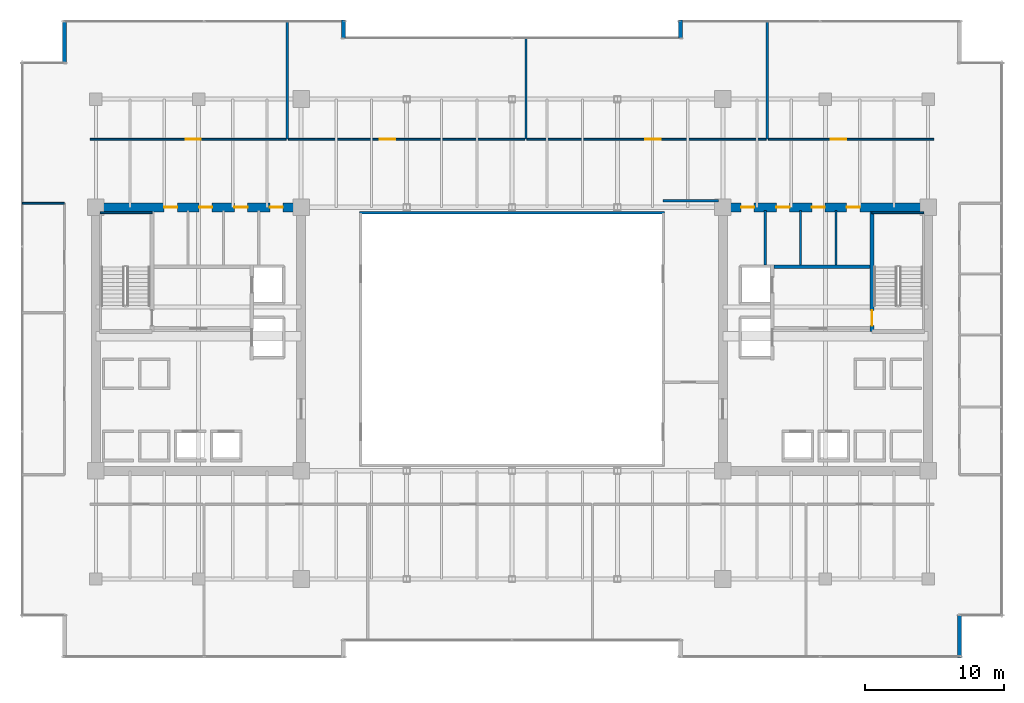
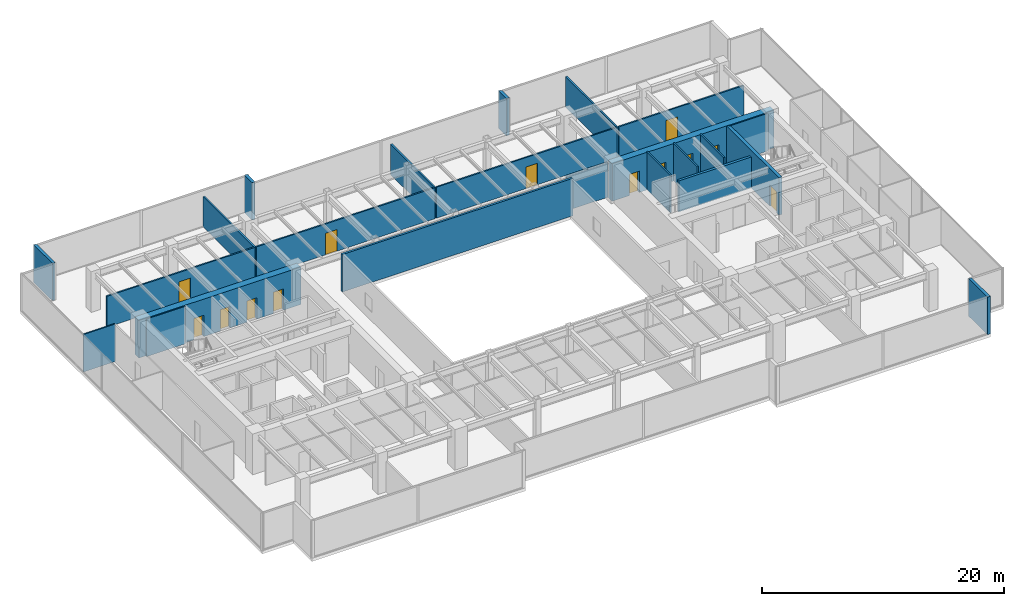
# One storey, part 27 of 30: 23 walls, 13 doors, 13 openings.
"""IFC4 building model written with IfcOpenShell, lengths in metres."""

from ifc_helpers import new_model, si_unit, direction, frame, frame_2d, origin, place, context, subcontext, project, spatial, rectangle, extrude, source, transform, mapped, material, layer, layer_set, type_object, type_shapes, element, fill, save


model = new_model("IFC4")

# Units and contexts
model_context = context("Model", 3, precision=1e-05, world=origin(), true_north=direction((0.0, 1.0)))
body_context = subcontext(model_context, "Body", "Model", "MODEL_VIEW")
ifc_project = project(units=[si_unit("LENGTHUNIT", "METRE"), si_unit("AREAUNIT", "SQUARE_METRE"), si_unit("VOLUMEUNIT", "CUBIC_METRE"), si_unit("PLANEANGLEUNIT", "RADIAN"), si_unit("MASSUNIT", "GRAM", prefix="KILO")], contexts=[model_context])

# Site, building, storey
site_placement = place(None, origin())
site = spatial("IfcSite", under=ifc_project, at=site_placement, CompositionType="ELEMENT")
building_placement = place(site_placement, origin())
building = spatial("IfcBuilding", under=site, at=building_placement, Name="Haelvirn Gate Laboratories", CompositionType="ELEMENT")
storey_placement = place(building_placement, frame((0.0, 0.0, 105.10009765625)))
storey = spatial("IfcBuildingStorey", under=building, at=storey_placement, Name="L25", CompositionType="ELEMENT", Elevation=105.10009765625)

# Walls
ifc_material_1 = material(Name="Thermally-broken bronze aluminium rainscreen & mineral wool", Category="aluminium")
ifc_layer_1 = layer(ifc_material_1, 0.280029296875, Name="EW-TERR-280")
ifc_layer_set_1 = layer_set([ifc_layer_1], Name="Thermally-broken bronze aluminium rainscreen & mineral wool")
wall_type_1 = type_object("IfcWallType", Name="EW-TERR-280", PredefinedType="STANDARD", material=ifc_layer_set_1)
wall_1_placement = place(storey_placement, frame((69.659912109375, 1.300048828125, 0.0), z_axis=(0.0, 0.0, 1.0), x_axis=(0.0, 1.0, 0.0)))
element("IfcWall", 1, at=wall_1_placement, inside=storey, type_object=wall_type_1, Name="L25 Atrium Recess Bronze Return Wall 05", PredefinedType="STANDARD", context=body_context, shape_type="SweptSolid", body=[
    extrude(rectangle(XDim=3.087890625, YDim=0.280029296875, at=frame_2d((1.5439453125, 0.0))), origin(), (0.0, 0.0, 1.0), 3.789794921875),
])
for number, where, z_axis, x_axis, name in (
    (2, (49.5400390625, 47.300048828125, 0.0), (0.0, 0.0, 1.0), (0.0, -1.0, 0.0), "L25 Atrium Recess Bronze Return Wall 11"),
    (3, (25.260009765625, 46.011962890625, 0.0), (0.0, 0.0, 1.0), (0.0, 1.0, 0.0), "L25 Atrium Recess Bronze Return Wall 13"),
):
    element("IfcWall", number, at=place(storey_placement, frame(where, z_axis=z_axis, x_axis=x_axis)), inside=storey, type_object=wall_type_1, Name=name, PredefinedType="STANDARD", context=body_context, shape_type="SweptSolid", body=[
        extrude(rectangle(XDim=1.2880859375, YDim=0.280029296875, at=frame_2d((0.64404296875, 0.0))), origin(), (0.0, 0.0, 1.0), 3.789794921875),
    ])
wall_2_placement = place(storey_placement, frame((5.139892578125, 47.300048828125, 0.0), z_axis=(0.0, 0.0, 1.0), x_axis=(0.0, -1.0, 0.0)))
element("IfcWall", 4, at=wall_2_placement, inside=storey, type_object=wall_type_1, Name="L25 Atrium Recess Bronze Return Wall 15", PredefinedType="STANDARD", context=body_context, shape_type="SweptSolid", body=[
    extrude(rectangle(XDim=3.088134765625, YDim=0.280029296875, at=frame_2d((1.5439453125, 0.0))), origin(), (0.0, 0.0, 1.0), 3.789794921875),
])
ifc_material_2 = material(Name="Double-layer acoustic gypsum laboratory partition", Category="gypsum")
ifc_layer_2 = layer(ifc_material_2, 0.159912109375, Name="IW-ACOUST-160")
ifc_layer_set_2 = layer_set([ifc_layer_2], Name="Double-layer acoustic gypsum laboratory partition")
wall_type_2 = type_object("IfcWallType", Name="IW-ACOUST-160", PredefinedType="PARTITIONING", material=ifc_layer_set_2)
wall_3_placement = place(storey_placement, frame((21.199951171875, 38.705078125, 0.0), z_axis=(0.0, 0.0, 1.0), x_axis=(0.0, 1.0, 0.0)))
element("IfcWall", 5, at=wall_3_placement, inside=storey, type_object=wall_type_2, Name="L25 Interior Wall IW-L25-NDIV-01", PredefinedType="PARTITIONING", context=body_context, shape_type="SweptSolid", body=[
    extrude(rectangle(XDim=8.48486328125, YDim=0.159912109375, at=frame_2d((4.242431640625, 0.0))), origin(), (0.0, 0.0, 1.0), 3.074951171875),
])
wall_4_placement = place(storey_placement, frame((38.39990234375, 38.705078125, 0.0), z_axis=(0.0, 0.0, 1.0), x_axis=(0.0, 1.0, 0.0)))
element("IfcWall", 6, at=wall_4_placement, inside=storey, type_object=wall_type_2, Name="L25 Interior Wall IW-L25-NDIV-02", PredefinedType="PARTITIONING", context=body_context, shape_type="SweptSolid", body=[
    extrude(rectangle(XDim=7.284912109375, YDim=0.159912109375, at=frame_2d((3.642578125, 0.0))), origin(), (0.0, 0.0, 1.0), 3.074951171875),
])
wall_5_placement = place(storey_placement, frame((55.800048828125, 38.705078125, 0.0), z_axis=(0.0, 0.0, 1.0), x_axis=(0.0, 1.0, 0.0)))
element("IfcWall", 7, at=wall_5_placement, inside=storey, type_object=wall_type_2, Name="L25 Interior Wall IW-L25-NDIV-03", PredefinedType="PARTITIONING", context=body_context, shape_type="SweptSolid", body=[
    extrude(rectangle(XDim=8.48486328125, YDim=0.159912109375, at=frame_2d((4.242431640625, 0.0))), origin(), (0.0, 0.0, 1.0), 3.074951171875),
])
ifc_material_3 = material(Name="Fire-rated acoustic gypsum board partition", Category="gypsum")
ifc_layer_3 = layer(ifc_material_3, 0.175048828125, Name="IW-ACOUST-180")
ifc_layer_set_3 = layer_set([ifc_layer_3], Name="Fire-rated acoustic gypsum board partition")
wall_type_3 = type_object("IfcWallType", Name="IW-ACOUST-180", PredefinedType="PARTITIONING", material=ifc_layer_set_3)
wall_6_placement = place(storey_placement, frame((48.300048828125, 34.260009765625, 0.0), z_axis=(0.0, 0.0, 1.0), x_axis=(1.0, 0.0, 0.0)))
element("IfcWall", 8, at=wall_6_placement, inside=storey, type_object=wall_type_3, Name="L25 Interior Wall IW-L25-ASEM-N", PredefinedType="PARTITIONING", context=body_context, shape_type="SweptSolid", body=[
    extrude(rectangle(XDim=3.974853515625, YDim=0.175048828125, at=frame_2d((1.9873046875, 0.0))), origin(), (0.0, 0.0, 1.0), 3.474853515625),
])
ifc_material_4 = material(Name="Tempered fire-rated borosilicate glass & anodised aluminium", Category="aluminium")
ifc_layer_4 = layer(ifc_material_4, 0.195068359375, Name="IW-GLAZ-200")
ifc_layer_set_4 = layer_set([ifc_layer_4], Name="Tempered fire-rated borosilicate glass & anodised aluminium")
wall_type_4 = type_object("IfcWallType", Name="IW-GLAZ-200", PredefinedType="SOLIDWALL", material=ifc_layer_set_4)
wall_7_placement = place(storey_placement, frame((26.39990234375, 33.39990234375, 0.0), z_axis=(0.0, 0.0, 1.0), x_axis=(1.0, 0.0, 0.0)))
element("IfcWall", 9, at=wall_7_placement, inside=storey, type_object=wall_type_4, Name="L25 Interior Wall IW-L25-ATRIUM-N", PredefinedType="SOLIDWALL", context=body_context, shape_type="SweptSolid", body=[
    extrude(rectangle(XDim=22.0, YDim=0.195068359375, at=frame_2d((11.0, 0.0))), origin(), (0.0, 0.0, 1.0), 3.789794921875),
])
ifc_material_5 = material(Name="Lightweight acoustic gypsum board partition", Category="gypsum")
ifc_layer_5 = layer(ifc_material_5, 0.1201171875, Name="IW-PART-120")
ifc_layer_set_5 = layer_set([ifc_layer_5], Name="Lightweight acoustic gypsum board partition")
wall_type_5 = type_object("IfcWallType", Name="IW-PART-120", PredefinedType="PARTITIONING", material=ifc_layer_set_5)
wall_8_placement = place(storey_placement, frame((2.110107421875, 34.0849609375, 0.0), z_axis=(0.0, 0.0, 1.0), x_axis=(1.0, 0.0, 0.0)))
element("IfcWall", 10, at=wall_8_placement, inside=storey, type_object=wall_type_5, Name="L25 Interior Wall IW-L25-WCAP-N", PredefinedType="PARTITIONING", context=body_context, shape_type="SweptSolid", body=[
    extrude(rectangle(XDim=3.019775390625, YDim=0.1201171875, at=frame_2d((1.509765625, 0.0))), origin(), (0.0, 0.0, 1.0), 3.789794921875),
])

# Wall, opening, door
ifc_material_6 = material(Name="Acoustic mineral-wool gypsum board partition", Category="gypsum")
ifc_layer_6 = layer(ifc_material_6, 0.139892578125, Name="IW-PART-140")
ifc_layer_set_6 = layer_set([ifc_layer_6], Name="Acoustic mineral-wool gypsum board partition")
wall_type_6 = type_object("IfcWallType", Name="IW-PART-140", PredefinedType="PARTITIONING", material=ifc_layer_set_6)
wall_9_placement = place(storey_placement, frame((6.97998046875, 38.705078125, 0.0), z_axis=(0.0, 0.0, 1.0), x_axis=(1.0, 0.0, 0.0)))
wall_9 = element("IfcWall", 11, at=wall_9_placement, inside=storey, type_object=wall_type_6, Name="L25 Interior Wall IW-L25-NCORR-01", PredefinedType="PARTITIONING", context=body_context, shape_type="SweptSolid", body=[
    extrude(rectangle(XDim=14.14013671875, YDim=0.139892578125, at=frame_2d((7.070068359375, 0.0))), origin(), (0.0, 0.0, 1.0), 3.125),
])
opening_1_placement = place(wall_9_placement, frame((6.89013671875, 0.0, 0.0)))
opening_1 = element("IfcOpeningElement", 12, at=opening_1_placement, cuts=wall_9, Name="Opening D1", PredefinedType="OPENING", context=body_context, shape_type="SweptSolid", body=[
    extrude(rectangle(XDim=1.10009765625, YDim=2.179931640625, at=frame_2d((0.550048828125, 1.08984375))), frame((0.0, 0.080078125, 0.0), z_axis=(0.0, -1.0, 0.0), x_axis=(1.0, 0.0, 0.0)), (0.0, 0.0, 1.0), 0.159912109375),
])
ifc_material_7 = material(Name="Vision-panel acoustic solid-core timber lab door", Category="wood")
door_type_1 = type_object("IfcDoorType", Name="DR-LAB-1100", OperationType="NOTDEFINED", PredefinedType="DOOR", material=ifc_material_7)
shared_shape_1 = source(origin(), body_context, "Body", "SweptSolid", [
    extrude(rectangle(XDim=1.10009765625, YDim=2.179931640625, at=frame_2d((0.550048828125, 1.08984375))), frame((0.0, 0.02490234375, 0.0), z_axis=(0.0, -1.0, 0.0), x_axis=(1.0, 0.0, 0.0)), (0.0, 0.0, 1.0), 0.050048828125),
])
type_shapes(door_type_1, [shared_shape_1])
door_1_placement = place(opening_1_placement, origin())
door_1 = element("IfcDoor", 13, at=door_1_placement, inside=storey, type_object=door_type_1, Name="L25 Laser-Safety Consult Room Door N1", OperationType="SINGLE_SWING_LEFT", OverallHeight=2.179931640625, OverallWidth=1.10009765625, PredefinedType="DOOR", context=body_context, shape_type="MappedRepresentation", body=[
    mapped(shared_shape_1, transform((0.0, 0.0, 0.0), scale=1.0)),
])
fill(opening_1, door_1)

wall_10_placement = place(storey_placement, frame((21.280029296875, 38.705078125, 0.0), z_axis=(0.0, 0.0, 1.0), x_axis=(1.0, 0.0, 0.0)))
wall_10 = element("IfcWall", 14, at=wall_10_placement, inside=storey, type_object=wall_type_6, Name="L25 Interior Wall IW-L25-NCORR-02", PredefinedType="PARTITIONING", context=body_context, shape_type="SweptSolid", body=[
    extrude(rectangle(XDim=17.0400390625, YDim=0.139892578125, at=frame_2d((8.52001953125, 0.0))), origin(), (0.0, 0.0, 1.0), 3.125),
])
opening_2_placement = place(wall_10_placement, frame((6.598388671875, 0.0, 0.0)))
opening_2 = element("IfcOpeningElement", 15, at=opening_2_placement, cuts=wall_10, Name="Opening D1", PredefinedType="OPENING", context=body_context, shape_type="SweptSolid", body=[
    extrude(rectangle(XDim=1.10009765625, YDim=2.179931640625, at=frame_2d((0.550048828125, 1.08984375))), frame((0.0, 0.080078125, 0.0), z_axis=(0.0, -1.0, 0.0), x_axis=(1.0, 0.0, 0.0)), (0.0, 0.0, 1.0), 0.159912109375),
])
door_2_placement = place(opening_2_placement, origin())
door_2 = element("IfcDoor", 16, at=door_2_placement, inside=storey, type_object=door_type_1, Name="L25 Computational Write-Up Office Door N2", OperationType="SINGLE_SWING_RIGHT", OverallHeight=2.179931640625, OverallWidth=1.10009765625, PredefinedType="DOOR", context=body_context, shape_type="MappedRepresentation", body=[
    mapped(shared_shape_1, transform((0.0, 0.0, 0.0), scale=1.0)),
])
fill(opening_2, door_2)

wall_11_placement = place(storey_placement, frame((38.47998046875, 38.705078125, 0.0), z_axis=(0.0, 0.0, 1.0), x_axis=(1.0, 0.0, 0.0)))
wall_11 = element("IfcWall", 17, at=wall_11_placement, inside=storey, type_object=wall_type_6, Name="L25 Interior Wall IW-L25-NCORR-03", PredefinedType="PARTITIONING", context=body_context, shape_type="SweptSolid", body=[
    extrude(rectangle(XDim=17.239990234375, YDim=0.139892578125, at=frame_2d((8.6201171875, 0.0))), origin(), (0.0, 0.0, 1.0), 3.125),
])
opening_3_placement = place(wall_11_placement, frame((8.533203125, 0.0, 0.0)))
opening_3 = element("IfcOpeningElement", 18, at=opening_3_placement, cuts=wall_11, Name="Opening D1", PredefinedType="OPENING", context=body_context, shape_type="SweptSolid", body=[
    extrude(rectangle(XDim=1.10009765625, YDim=2.179931640625, at=frame_2d((0.550048828125, 1.08984375))), frame((0.0, 0.080078125, 0.0), z_axis=(0.0, -1.0, 0.0), x_axis=(1.0, 0.0, 0.0)), (0.0, 0.0, 1.0), 0.159912109375),
])
door_3_placement = place(opening_3_placement, origin())
door_3 = element("IfcDoor", 19, at=door_3_placement, inside=storey, type_object=door_type_1, Name="L25 Bioinformatics Dry-Lab Workspace Door N3", OperationType="SINGLE_SWING_LEFT", OverallHeight=2.179931640625, OverallWidth=1.10009765625, PredefinedType="DOOR", context=body_context, shape_type="MappedRepresentation", body=[
    mapped(shared_shape_1, transform((0.0, 0.0, 0.0), scale=1.0)),
])
fill(opening_3, door_3)

wall_12_placement = place(storey_placement, frame((55.8798828125, 38.705078125, 0.0), z_axis=(0.0, 0.0, 1.0), x_axis=(1.0, 0.0, 0.0)))
wall_12 = element("IfcWall", 20, at=wall_12_placement, inside=storey, type_object=wall_type_6, Name="L25 Interior Wall IW-L25-NCORR-04", PredefinedType="PARTITIONING", context=body_context, shape_type="SweptSolid", body=[
    extrude(rectangle(XDim=11.940185546875, YDim=0.139892578125, at=frame_2d((5.97021484375, 0.0))), origin(), (0.0, 0.0, 1.0), 3.125),
])
opening_4_placement = place(wall_12_placement, frame((4.50732421875, 0.0, 0.0)))
opening_4 = element("IfcOpeningElement", 21, at=opening_4_placement, cuts=wall_12, Name="Opening D1", PredefinedType="OPENING", context=body_context, shape_type="SweptSolid", body=[
    extrude(rectangle(XDim=1.10009765625, YDim=2.179931640625, at=frame_2d((0.550048828125, 1.08984375))), frame((0.0, 0.080078125, 0.0), z_axis=(0.0, -1.0, 0.0), x_axis=(1.0, 0.0, 0.0)), (0.0, 0.0, 1.0), 0.159912109375),
])
door_4_placement = place(opening_4_placement, origin())
door_4 = element("IfcDoor", 22, at=door_4_placement, inside=storey, type_object=door_type_1, Name="L25 Protocol Briefing Training Room Door N4", OperationType="SINGLE_SWING_RIGHT", OverallHeight=2.179931640625, OverallWidth=1.10009765625, PredefinedType="DOOR", context=body_context, shape_type="MappedRepresentation", body=[
    mapped(shared_shape_1, transform((0.0, 0.0, 0.0), scale=1.0)),
])
fill(opening_4, door_4)

# Walls
ifc_material_8 = material(Name="Cement-board restroom plumbing chase wall", Category="gypsum")
ifc_layer_7 = layer(ifc_material_8, 0.155029296875, Name="IW-PLUMB-160")
ifc_layer_set_7 = layer_set([ifc_layer_7], Name="Cement-board restroom plumbing chase wall")
wall_type_7 = type_object("IfcWallType", Name="IW-PLUMB-160", PredefinedType="PLUMBINGWALL", material=ifc_layer_set_7)
for number, where, z_axis, x_axis, name in (
    (23, (60.760009765625, 29.64990234375, 0.0), (0.0, 0.0, 1.0), (0.0, 1.0, 0.0), "L25 Interior Wall IW-L25-E-CDIV-1"),
    (24, (58.2099609375, 29.64990234375, 0.0), (0.0, 0.0, 1.0), (0.0, 1.0, 0.0), "L25 Interior Wall IW-L25-E-CDIV-2"),
    (25, (55.659912109375, 29.64990234375, 0.0), (0.0, 0.0, 1.0), (0.0, 1.0, 0.0), "L25 Interior Wall IW-L25-E-CDIV-3"),
):
    element("IfcWall", number, at=place(storey_placement, frame(where, z_axis=z_axis, x_axis=x_axis)), inside=storey, type_object=wall_type_7, Name=name, PredefinedType="PLUMBINGWALL", context=body_context, shape_type="SweptSolid", body=[
        extrude(rectangle(XDim=3.93017578125, YDim=0.155029296875, at=frame_2d((1.965087890625, 0.0))), origin(), (0.0, 0.0, 1.0), 3.789794921875),
    ])
ifc_material_9 = material(Name="Concrete C40/50", Category="concrete")
ifc_layer_8 = layer(ifc_material_9, 0.239990234375, Name="IW-SHAFT-240")
ifc_layer_set_8 = layer_set([ifc_layer_8], Name="Concrete C40/50")
wall_type_8 = type_object("IfcWallType", Name="IW-SHAFT-240", PredefinedType="SOLIDWALL", material=ifc_layer_set_8)
wall_13_placement = place(storey_placement, frame((56.280029296875, 29.52001953125, 0.0), z_axis=(0.0, 0.0, 1.0), x_axis=(1.0, 0.0, 0.0)))
element("IfcWall", 26, at=wall_13_placement, inside=storey, type_object=wall_type_8, Name="L25 Interior Wall IW-L25-E-FF-N", PredefinedType="SOLIDWALL", context=body_context, shape_type="SweptSolid", body=[
    extrude(rectangle(XDim=6.919921875, YDim=0.239990234375, at=frame_2d((3.4599609375, 0.0))), origin(), (0.0, 0.0, 1.0), 3.125),
])

# Wall, openings, doors
ifc_material_10 = material(Name="Concrete C60/75", Category="concrete")
ifc_layer_9 = layer(ifc_material_10, 0.64990234375, Name="SW-CORE-650")
ifc_layer_set_9 = layer_set([ifc_layer_9], Name="Concrete C60/75")
wall_type_9 = type_object("IfcWallType", Name="SW-CORE-650", PredefinedType="SHEAR", material=ifc_layer_set_9)
wall_14_placement = place(storey_placement, frame((7.074951171875, 33.800048828125, 0.0), z_axis=(0.0, 0.0, 1.0), x_axis=(1.0, 0.0, 0.0)))
wall_14 = element("IfcWall", 27, at=wall_14_placement, inside=storey, type_object=wall_type_9, Name="L25 W Core Shear Wall N", PredefinedType="SHEAR", context=body_context, shape_type="SweptSolid", body=[
    extrude(rectangle(XDim=15.449951171875, YDim=0.64990234375, at=frame_2d((7.72509765625, 0.0))), origin(), (0.0, 0.0, 1.0), 3.789794921875),
])
opening_5_placement = place(wall_14_placement, frame((5.25, 0.0, 0.0)))
opening_5 = element("IfcOpeningElement", 28, at=opening_5_placement, cuts=wall_14, Name="Opening FD4", PredefinedType="OPENING", context=body_context, shape_type="SweptSolid", body=[
    extrude(rectangle(XDim=0.949951171875, YDim=2.14990234375, at=frame_2d((0.47509765625, 1.074951171875))), frame((0.0, 0.3349609375, 0.0), z_axis=(0.0, -1.0, 0.0), x_axis=(1.0, 0.0, 0.0)), (0.0, 0.0, 1.0), 0.669921875),
])
opening_6_placement = place(wall_14_placement, frame((7.764892578125, 0.0, 0.0)))
opening_6 = element("IfcOpeningElement", 29, at=opening_6_placement, cuts=wall_14, Name="Opening FD4", PredefinedType="OPENING", context=body_context, shape_type="SweptSolid", body=[
    extrude(rectangle(XDim=0.949951171875, YDim=2.14990234375, at=frame_2d((0.47509765625, 1.074951171875))), frame((0.0, 0.3349609375, 0.0), z_axis=(0.0, -1.0, 0.0), x_axis=(1.0, 0.0, 0.0)), (0.0, 0.0, 1.0), 0.669921875),
])
opening_7_placement = place(wall_14_placement, frame((10.31494140625, 0.0, 0.0)))
opening_7 = element("IfcOpeningElement", 30, at=opening_7_placement, cuts=wall_14, Name="Opening FD4", PredefinedType="OPENING", context=body_context, shape_type="SweptSolid", body=[
    extrude(rectangle(XDim=0.949951171875, YDim=2.14990234375, at=frame_2d((0.47509765625, 1.074951171875))), frame((0.0, 0.3349609375, 0.0), z_axis=(0.0, -1.0, 0.0), x_axis=(1.0, 0.0, 0.0)), (0.0, 0.0, 1.0), 0.669921875),
])
opening_8_placement = place(wall_14_placement, frame((12.864990234375, 0.0, 0.0)))
opening_8 = element("IfcOpeningElement", 31, at=opening_8_placement, cuts=wall_14, Name="Opening FD4", PredefinedType="OPENING", context=body_context, shape_type="SweptSolid", body=[
    extrude(rectangle(XDim=0.949951171875, YDim=2.14990234375, at=frame_2d((0.47509765625, 1.074951171875))), frame((0.0, 0.3349609375, 0.0), z_axis=(0.0, -1.0, 0.0), x_axis=(1.0, 0.0, 0.0)), (0.0, 0.0, 1.0), 0.669921875),
])
ifc_material_11 = material(Name="Fire-rated steel SM355 core service door", Category="steel")
door_type_2 = type_object("IfcDoorType", Name="DR-FD-950", OperationType="NOTDEFINED", PredefinedType="DOOR", material=ifc_material_11)
shared_shape_2 = source(origin(), body_context, "Body", "SweptSolid", [
    extrude(rectangle(XDim=0.949951171875, YDim=2.14990234375, at=frame_2d((0.47509765625, 1.074951171875))), frame((0.0, 0.02490234375, 0.0), z_axis=(0.0, -1.0, 0.0), x_axis=(1.0, 0.0, 0.0)), (0.0, 0.0, 1.0), 0.050048828125),
])
type_shapes(door_type_2, [shared_shape_2])
door_5_placement = place(opening_5_placement, origin())
door_5 = element("IfcDoor", 32, at=door_5_placement, inside=storey, type_object=door_type_2, Name="L25 Male Restroom Fire Door", OperationType="SINGLE_SWING_RIGHT", OverallHeight=2.14990234375, OverallWidth=0.949951171875, PredefinedType="DOOR", context=body_context, shape_type="MappedRepresentation", body=[
    mapped(shared_shape_2, transform((0.0, 0.0, 0.0), scale=1.0)),
])
fill(opening_5, door_5)
door_6_placement = place(opening_6_placement, origin())
door_6 = element("IfcDoor", 33, at=door_6_placement, inside=storey, type_object=door_type_2, Name="L25 Female Restroom Fire Door", OperationType="SINGLE_SWING_LEFT", OverallHeight=2.14990234375, OverallWidth=0.949951171875, PredefinedType="DOOR", context=body_context, shape_type="MappedRepresentation", body=[
    mapped(shared_shape_2, transform((0.0, 0.0, 0.0), scale=1.0)),
])
fill(opening_6, door_6)
door_7_placement = place(opening_7_placement, origin())
door_7 = element("IfcDoor", 34, at=door_7_placement, inside=storey, type_object=door_type_2, Name="L25 Accessible Restroom Fire Door", OperationType="SINGLE_SWING_RIGHT", OverallHeight=2.14990234375, OverallWidth=0.949951171875, PredefinedType="DOOR", context=body_context, shape_type="MappedRepresentation", body=[
    mapped(shared_shape_2, transform((0.0, 0.0, 0.0), scale=1.0)),
])
fill(opening_7, door_7)
door_8_placement = place(opening_8_placement, origin())
door_8 = element("IfcDoor", 35, at=door_8_placement, inside=storey, type_object=door_type_2, Name="L25 Decontamination Shower Washroom Fire Door", OperationType="SINGLE_SWING_LEFT", OverallHeight=2.14990234375, OverallWidth=0.949951171875, PredefinedType="DOOR", context=body_context, shape_type="MappedRepresentation", body=[
    mapped(shared_shape_2, transform((0.0, 0.0, 0.0), scale=1.0)),
])
fill(opening_8, door_8)

wall_15_placement = place(storey_placement, frame((52.27490234375, 33.800048828125, 0.0), z_axis=(0.0, 0.0, 1.0), x_axis=(1.0, 0.0, 0.0)))
wall_15 = element("IfcWall", 36, at=wall_15_placement, inside=storey, type_object=wall_type_9, Name="L25 E Core Shear Wall N", PredefinedType="SHEAR", context=body_context, shape_type="SweptSolid", body=[
    extrude(rectangle(XDim=15.4501953125, YDim=0.64990234375, at=frame_2d((7.72509765625, 0.0))), origin(), (0.0, 0.0, 1.0), 3.789794921875),
])
opening_9_placement = place(wall_15_placement, frame((9.25, 0.0, 0.0)))
opening_9 = element("IfcOpeningElement", 37, at=opening_9_placement, cuts=wall_15, Name="Opening FD4", PredefinedType="OPENING", context=body_context, shape_type="SweptSolid", body=[
    extrude(rectangle(XDim=0.949951171875, YDim=2.14990234375, at=frame_2d((0.47509765625, 1.074951171875))), frame((0.0, 0.3349609375, 0.0), z_axis=(0.0, -1.0, 0.0), x_axis=(1.0, 0.0, 0.0)), (0.0, 0.0, 1.0), 0.669921875),
])
opening_10_placement = place(wall_15_placement, frame((6.735107421875, 0.0, 0.0)))
opening_10 = element("IfcOpeningElement", 38, at=opening_10_placement, cuts=wall_15, Name="Opening FD4", PredefinedType="OPENING", context=body_context, shape_type="SweptSolid", body=[
    extrude(rectangle(XDim=0.949951171875, YDim=2.14990234375, at=frame_2d((0.47509765625, 1.074951171875))), frame((0.0, 0.3349609375, 0.0), z_axis=(0.0, -1.0, 0.0), x_axis=(1.0, 0.0, 0.0)), (0.0, 0.0, 1.0), 0.669921875),
])
opening_11_placement = place(wall_15_placement, frame((4.18505859375, 0.0, 0.0)))
opening_11 = element("IfcOpeningElement", 39, at=opening_11_placement, cuts=wall_15, Name="Opening FD4", PredefinedType="OPENING", context=body_context, shape_type="SweptSolid", body=[
    extrude(rectangle(XDim=0.949951171875, YDim=2.14990234375, at=frame_2d((0.47509765625, 1.074951171875))), frame((0.0, 0.3349609375, 0.0), z_axis=(0.0, -1.0, 0.0), x_axis=(1.0, 0.0, 0.0)), (0.0, 0.0, 1.0), 0.669921875),
])
opening_12_placement = place(wall_15_placement, frame((1.635009765625, 0.0, 0.0)))
opening_12 = element("IfcOpeningElement", 40, at=opening_12_placement, cuts=wall_15, Name="Opening FD4", PredefinedType="OPENING", context=body_context, shape_type="SweptSolid", body=[
    extrude(rectangle(XDim=0.949951171875, YDim=2.14990234375, at=frame_2d((0.47509765625, 1.074951171875))), frame((0.0, 0.3349609375, 0.0), z_axis=(0.0, -1.0, 0.0), x_axis=(1.0, 0.0, 0.0)), (0.0, 0.0, 1.0), 0.669921875),
])
door_9_placement = place(opening_9_placement, origin())
door_9 = element("IfcDoor", 41, at=door_9_placement, inside=storey, type_object=door_type_2, Name="L25 Male Restroom Fire Door", OperationType="SINGLE_SWING_RIGHT", OverallHeight=2.14990234375, OverallWidth=0.949951171875, PredefinedType="DOOR", context=body_context, shape_type="MappedRepresentation", body=[
    mapped(shared_shape_2, transform((0.0, 0.0, 0.0), scale=1.0)),
])
fill(opening_9, door_9)
door_10_placement = place(opening_10_placement, origin())
door_10 = element("IfcDoor", 42, at=door_10_placement, inside=storey, type_object=door_type_2, Name="L25 Female Restroom Fire Door", OperationType="SINGLE_SWING_LEFT", OverallHeight=2.14990234375, OverallWidth=0.949951171875, PredefinedType="DOOR", context=body_context, shape_type="MappedRepresentation", body=[
    mapped(shared_shape_2, transform((0.0, 0.0, 0.0), scale=1.0)),
])
fill(opening_10, door_10)
door_11_placement = place(opening_11_placement, origin())
door_11 = element("IfcDoor", 43, at=door_11_placement, inside=storey, type_object=door_type_2, Name="L25 Accessible Restroom Fire Door", OperationType="SINGLE_SWING_RIGHT", OverallHeight=2.14990234375, OverallWidth=0.949951171875, PredefinedType="DOOR", context=body_context, shape_type="MappedRepresentation", body=[
    mapped(shared_shape_2, transform((0.0, 0.0, 0.0), scale=1.0)),
])
fill(opening_11, door_11)
door_12_placement = place(opening_12_placement, origin())
door_12 = element("IfcDoor", 44, at=door_12_placement, inside=storey, type_object=door_type_2, Name="L25 Decontamination Shower Washroom Fire Door", OperationType="SINGLE_SWING_LEFT", OverallHeight=2.14990234375, OverallWidth=0.949951171875, PredefinedType="DOOR", context=body_context, shape_type="MappedRepresentation", body=[
    mapped(shared_shape_2, transform((0.0, 0.0, 0.0), scale=1.0)),
])
fill(opening_12, door_12)

# Walls
ifc_material_12 = material(Name="Concrete C50/60", Category="concrete")
ifc_layer_10 = layer(ifc_material_12, 0.1201171875, Name="SW-LINER-120")
ifc_layer_set_10 = layer_set([ifc_layer_10], Name="Concrete C50/60")
wall_type_10 = type_object("IfcWallType", Name="SW-LINER-120", PredefinedType="SOLIDWALL", material=ifc_layer_set_10)
for number, where, z_axis, x_axis, name in (
    (45, (7.72998046875, 33.39990234375, 0.0), (0.0, 0.0, 1.0), (1.0, 0.0, 0.0), "L25 W Core Stair Shaft Liner Wall N"),
    (46, (63.35009765625, 33.39990234375, 0.0), (0.0, 0.0, 1.0), (1.0, 0.0, 0.0), "L25 E Core Stair Shaft Liner Wall N"),
):
    element("IfcWall", number, at=place(storey_placement, frame(where, z_axis=z_axis, x_axis=x_axis)), inside=storey, type_object=wall_type_10, Name=name, PredefinedType="SOLIDWALL", context=body_context, shape_type="SweptSolid", body=[
        extrude(rectangle(XDim=3.719970703125, YDim=0.1201171875, at=frame_2d((1.85986328125, 0.0))), origin(), (0.0, 0.0, 1.0), 3.789794921875),
    ])

# Wall, opening, door
ifc_layer_11 = layer(ifc_material_12, 0.300048828125, Name="SW-STAIR-300")
ifc_layer_set_11 = layer_set([ifc_layer_11], Name="Concrete C50/60")
wall_type_11 = type_object("IfcWallType", Name="SW-STAIR-300", PredefinedType="SHEAR", material=ifc_layer_set_11)
wall_16_placement = place(storey_placement, frame((63.35009765625, 24.85009765625, 0.0), z_axis=(0.0, 0.0, 1.0), x_axis=(0.0, 1.0, 0.0)))
wall_16 = element("IfcWall", 47, at=wall_16_placement, inside=storey, type_object=wall_type_11, Name="L25 E Core Stair Shaft Structural Wall IN", PredefinedType="SHEAR", context=body_context, shape_type="SweptSolid", body=[
    extrude(rectangle(XDim=8.6298828125, YDim=0.300048828125, at=frame_2d((4.31494140625, 0.0))), origin(), (0.0, 0.0, 1.0), 3.789794921875),
])
opening_13_placement = place(wall_16_placement, frame((0.419921875, 0.0, 0.0)))
opening_13 = element("IfcOpeningElement", 48, at=opening_13_placement, cuts=wall_16, Name="Opening FD3", PredefinedType="OPENING", context=body_context, shape_type="SweptSolid", body=[
    extrude(rectangle(XDim=1.10009765625, YDim=2.14990234375, at=frame_2d((0.550048828125, 1.074951171875))), frame((0.0, 0.16015625, 0.0), z_axis=(0.0, -1.0, 0.0), x_axis=(1.0, 0.0, 0.0)), (0.0, 0.0, 1.0), 0.320068359375),
])
ifc_material_13 = material(Name="Fire-rated steel SM355 escape stair door", Category="steel")
door_type_3 = type_object("IfcDoorType", Name="DR-FD-1100", OperationType="NOTDEFINED", PredefinedType="DOOR", material=ifc_material_13)
shared_shape_3 = source(origin(), body_context, "Body", "SweptSolid", [
    extrude(rectangle(XDim=1.10009765625, YDim=2.14990234375, at=frame_2d((0.550048828125, 1.074951171875))), frame((0.0, 0.02490234375, 0.0), z_axis=(0.0, -1.0, 0.0), x_axis=(1.0, 0.0, 0.0)), (0.0, 0.0, 1.0), 0.050048828125),
])
type_shapes(door_type_3, [shared_shape_3])
door_13_placement = place(opening_13_placement, origin())
door_13 = element("IfcDoor", 49, at=door_13_placement, inside=storey, type_object=door_type_3, Name="L25 Escape Stair ST2 Fire Door", OperationType="SINGLE_SWING_RIGHT", OverallHeight=2.14990234375, OverallWidth=1.10009765625, PredefinedType="DOOR", context=body_context, shape_type="MappedRepresentation", body=[
    mapped(shared_shape_3, transform((0.0, 0.0, 0.0), scale=1.0)),
])
fill(opening_13, door_13)

save(model, "model.ifc")
